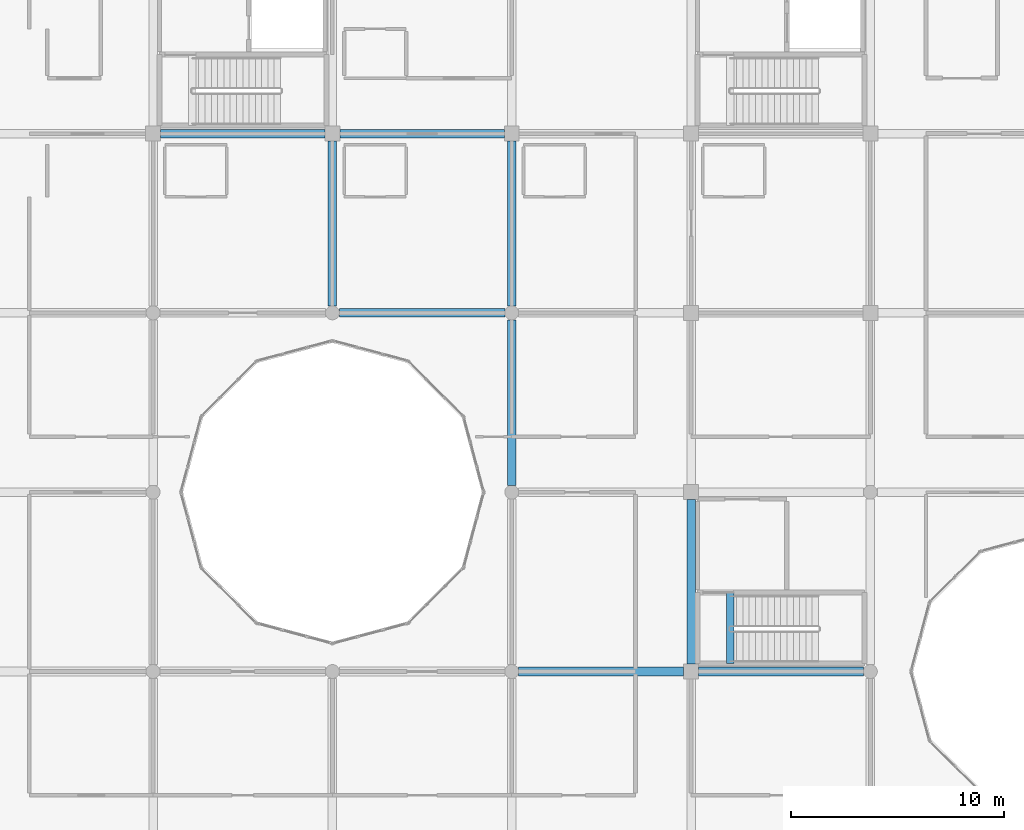
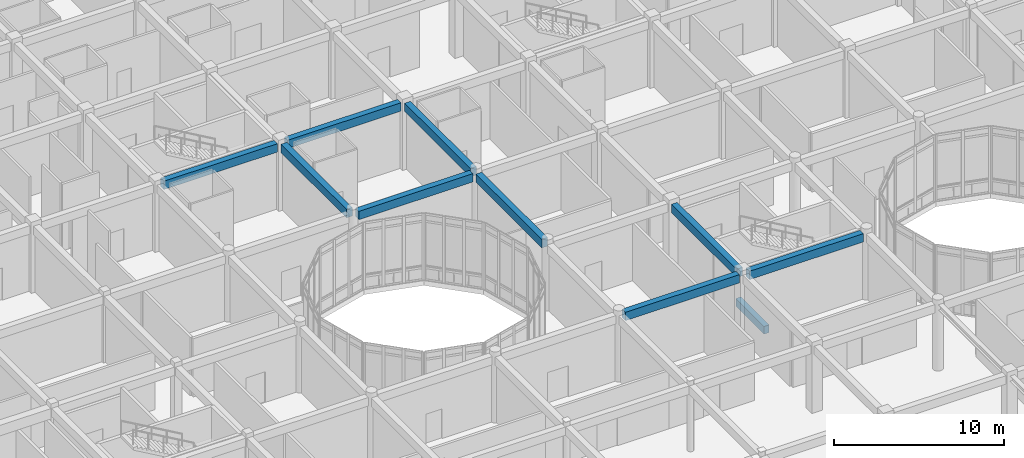
# One storey, part 48 of 134: 10 beams.
"""IFC4 building model written with IfcOpenShell, lengths in metres."""

from ifc_helpers import new_model, si_unit, direction, frame, origin, origin_2d, place, context, subcontext, project, spatial, rectangle, extrude, material, material_profile, profile_set, type_object, element, save


model = new_model("IFC4")

# Units and contexts
model_context = context("Model", 3, precision=1e-05, world=origin(), true_north=direction((0.0, 1.0)))
body_context = subcontext(model_context, "Body", "Model", "MODEL_VIEW")
ifc_project = project(units=[si_unit("LENGTHUNIT", "METRE"), si_unit("AREAUNIT", "SQUARE_METRE"), si_unit("VOLUMEUNIT", "CUBIC_METRE"), si_unit("PLANEANGLEUNIT", "RADIAN"), si_unit("MASSUNIT", "GRAM", prefix="KILO")], contexts=[model_context])

# Site, building, storey
site_placement = place(None, origin())
site = spatial("IfcSite", under=ifc_project, at=site_placement, CompositionType="ELEMENT")
building_placement = place(site_placement, origin())
building = spatial("IfcBuilding", under=site, at=building_placement, Name="Bramfleet General Hospital", CompositionType="ELEMENT")
storey_placement = place(building_placement, frame((0.0, 0.0, 9.300048828125)))
storey = spatial("IfcBuildingStorey", under=building, at=storey_placement, Name="L02", CompositionType="ELEMENT", Elevation=9.300048828125)

# Beams
ifc_material = material(Name="Concrete C35/45", Category="concrete")
ifc_material_profile_1 = material_profile(ifc_material, rectangle(XDim=0.35009765625, YDim=0.550048828125, at=origin_2d()), Name="RC BM 550x350")
ifc_profile_set_1 = profile_set([ifc_material_profile_1], Name="Concrete C35/45")
beam_type_1 = type_object("IfcBeamType", Name="BM-RC550", PredefinedType="BEAM", material=ifc_profile_set_1)
beam_1_placement = place(storey_placement, frame((102.639892578125, 67.580078125, -0.275146484375), z_axis=(0.0, 1.0, 0.0), x_axis=(-1.0, 0.0, 0.0)))
element("IfcBeam", 1, at=beam_1_placement, inside=storey, type_object=beam_type_1, Name="L02 C11 Stairwell Trimmer Beam", PredefinedType="BEAM", context=body_context, shape_type="SweptSolid", body=[
    extrude(rectangle(XDim=0.35009765625, YDim=0.550048828125, at=origin_2d()), origin(), (0.0, 0.0, 1.0), 3.31982421875),
])
ifc_material_profile_2 = material_profile(ifc_material, rectangle(XDim=0.39990234375, YDim=0.60009765625, at=origin_2d()), Name="RC BM 600x400")
ifc_profile_set_2 = profile_set([ifc_material_profile_2], Name="Concrete C35/45")
beam_type_2 = type_object("IfcBeamType", Name="BM-RC600", PredefinedType="BEAM", material=ifc_profile_set_2)
beam_2_placement = place(storey_placement, frame((75.949951171875, 92.39990234375, 4.47998046875), z_axis=(1.0, 0.0, 0.0), x_axis=(0.0, 1.0, 0.0)))
element("IfcBeam", 2, at=beam_2_placement, inside=storey, type_object=beam_type_2, Name="L02 Grid Beam X 09-11", PredefinedType="BEAM", context=body_context, shape_type="SweptSolid", body=[
    extrude(rectangle(XDim=0.39990234375, YDim=0.60009765625, at=origin_2d()), origin(), (0.0, 0.0, 1.0), 7.699951171875),
])
beam_3_placement = place(storey_placement, frame((84.324951171875, 84.0, 4.47998046875), z_axis=(1.0, 0.0, 0.0), x_axis=(0.0, 1.0, 0.0)))
element("IfcBeam", 3, at=beam_3_placement, inside=storey, type_object=beam_type_2, Name="L02 Grid Beam X 10-10", PredefinedType="BEAM", context=body_context, shape_type="SweptSolid", body=[
    extrude(rectangle(XDim=0.39990234375, YDim=0.60009765625, at=origin_2d()), origin(), (0.0, 0.0, 1.0), 7.75),
])
beam_4_placement = place(storey_placement, frame((84.35009765625, 92.39990234375, 4.47998046875), z_axis=(1.0, 0.0, 0.0), x_axis=(0.0, 1.0, 0.0)))
element("IfcBeam", 4, at=beam_4_placement, inside=storey, type_object=beam_type_2, Name="L02 Grid Beam X 10-11", PredefinedType="BEAM", context=body_context, shape_type="SweptSolid", body=[
    extrude(rectangle(XDim=0.39990234375, YDim=0.60009765625, at=origin_2d()), origin(), (0.0, 0.0, 1.0), 7.699951171875),
])
beam_5_placement = place(storey_placement, frame((92.72509765625, 67.199951171875, 4.47998046875), z_axis=(1.0, 0.0, 0.0), x_axis=(0.0, 1.0, 0.0)))
element("IfcBeam", 5, at=beam_5_placement, inside=storey, type_object=beam_type_2, Name="L02 Grid Beam X 11-08", PredefinedType="BEAM", context=body_context, shape_type="SweptSolid", body=[
    extrude(rectangle(XDim=0.39990234375, YDim=0.60009765625, at=origin_2d()), origin(), (0.0, 0.0, 1.0), 7.724853515625),
])
for number, where, z_axis, x_axis, name in (
    (6, (101.14990234375, 67.199951171875, 4.47998046875), (1.0, 0.0, 0.0), (0.0, 1.0, 0.0), "L02 Grid Beam X 12-08"),
    (7, (84.0, 84.324951171875, 4.47998046875), (0.0, 1.0, 0.0), (-1.0, 0.0, 0.0), "L02 Grid Beam Y 10-10"),
):
    element("IfcBeam", number, at=place(storey_placement, frame(where, z_axis=z_axis, x_axis=x_axis)), inside=storey, type_object=beam_type_2, Name=name, PredefinedType="BEAM", context=body_context, shape_type="SweptSolid", body=[
        extrude(rectangle(XDim=0.39990234375, YDim=0.60009765625, at=origin_2d()), origin(), (0.0, 0.0, 1.0), 7.72509765625),
    ])
beam_6_placement = place(storey_placement, frame((92.39990234375, 75.925048828125, 4.47998046875), z_axis=(0.0, 1.0, 0.0), x_axis=(-1.0, 0.0, 0.0)))
element("IfcBeam", 8, at=beam_6_placement, inside=storey, type_object=beam_type_2, Name="L02 Grid Beam Y 11-09", PredefinedType="BEAM", context=body_context, shape_type="SweptSolid", body=[
    extrude(rectangle(XDim=0.39990234375, YDim=0.60009765625, at=origin_2d()), origin(), (0.0, 0.0, 1.0), 7.75),
])
beam_7_placement = place(storey_placement, frame((92.39990234375, 84.324951171875, 4.47998046875), z_axis=(0.0, 1.0, 0.0), x_axis=(-1.0, 0.0, 0.0)))
element("IfcBeam", 9, at=beam_7_placement, inside=storey, type_object=beam_type_2, Name="L02 Grid Beam Y 11-10", PredefinedType="BEAM", context=body_context, shape_type="SweptSolid", body=[
    extrude(rectangle(XDim=0.39990234375, YDim=0.60009765625, at=origin_2d()), origin(), (0.0, 0.0, 1.0), 7.72509765625),
])
beam_8_placement = place(storey_placement, frame((100.800048828125, 67.550048828125, 4.47998046875), z_axis=(0.0, 1.0, 0.0), x_axis=(-1.0, 0.0, 0.0)))
element("IfcBeam", 10, at=beam_8_placement, inside=storey, type_object=beam_type_2, Name="L02 Grid Beam Y 12-08", PredefinedType="BEAM", context=body_context, shape_type="SweptSolid", body=[
    extrude(rectangle(XDim=0.39990234375, YDim=0.60009765625, at=origin_2d()), origin(), (0.0, 0.0, 1.0), 7.699951171875),
])

save(model, "model.ifc")
